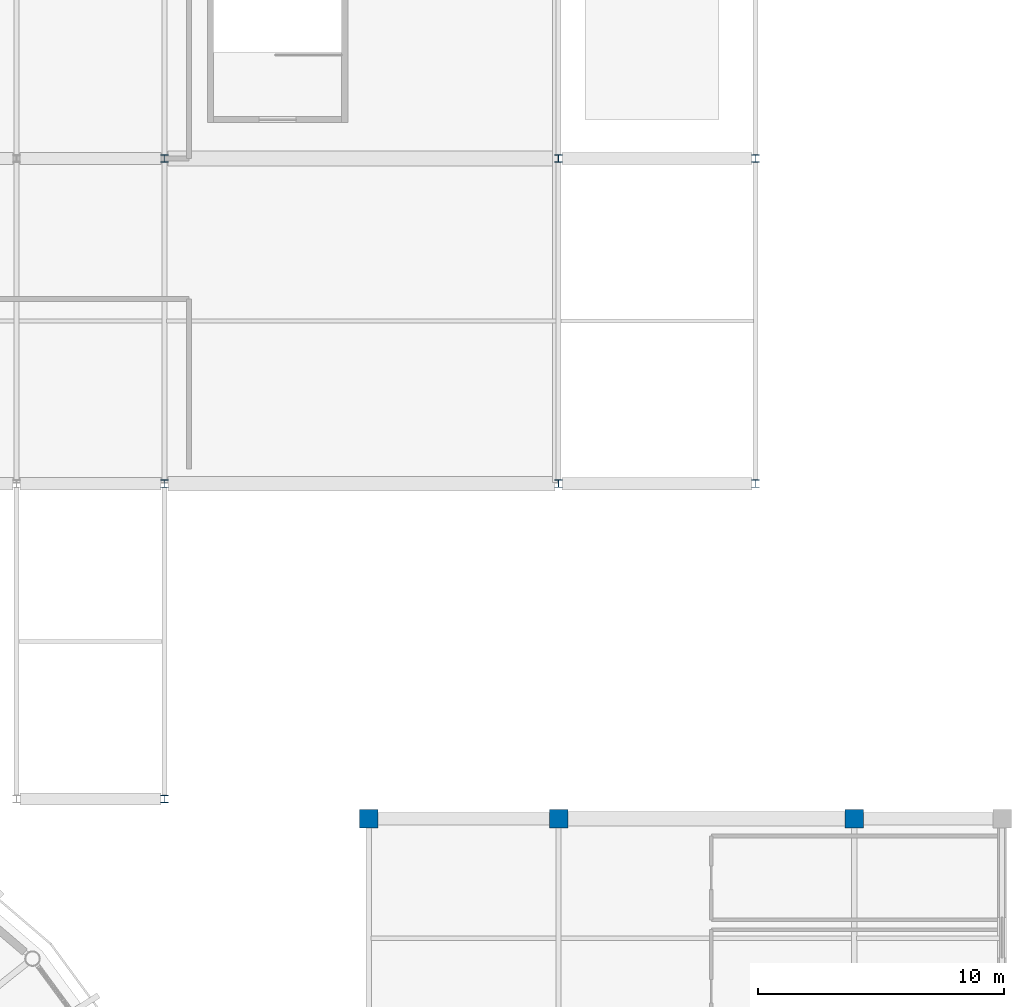
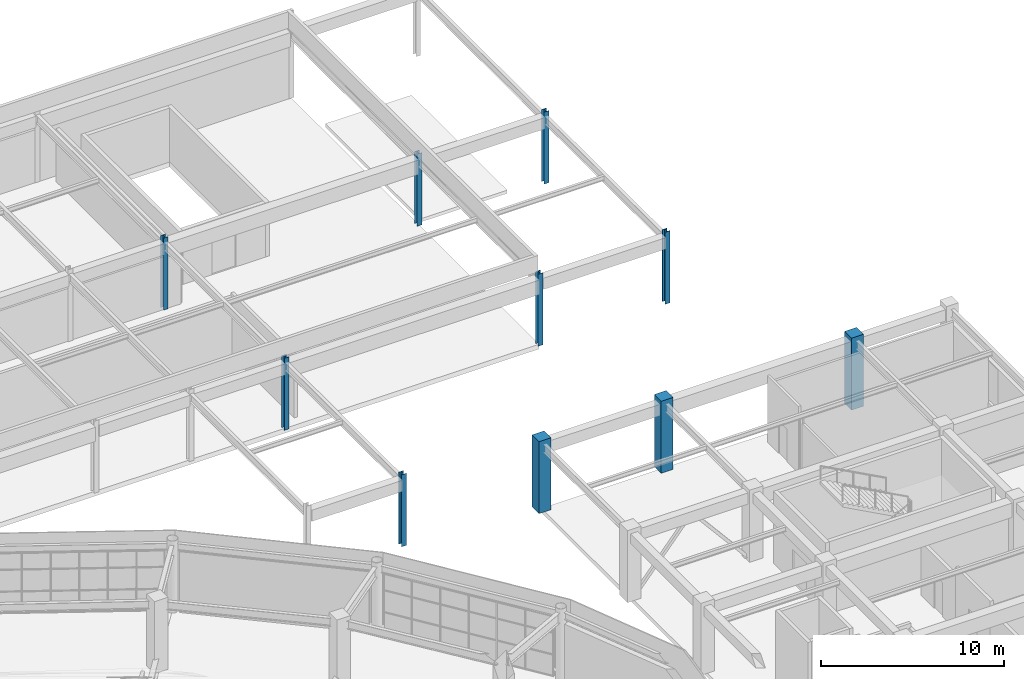
# One storey, part 15 of 122: 10 columns.
"""IFC4 building model written with IfcOpenShell, lengths in metres."""

import ifcopenshell
import ifcopenshell.guid

model = None  # the IFC model being written
_history = None  # IfcOwnerHistory: only IFC2X3 demands one
_inside = {}  # id of a spatial element -> (the spatial element, [elements in it])
_under = {}  # id of a project, library or spatial element -> (it, [spatial elements below it])
_declared = {}  # id of a project -> (the project, [libraries it declares])
_typed = {}  # id of a type object -> (the type object, [elements of that type])
_made_of = {}  # id of a material, layer set ... -> (it, [elements and type objects made of it])


def new_model(schema):
    """Start an empty IFC model of exactly this schema.

    Asked for "IFC4X3", IfcOpenShell would pick the latest addendum, in which some entities
    have other attributes; the version numbers below select the first issue.
    IFC2X3 requires an IfcOwnerHistory on every rooted entity: one is made here for all.
    """
    global model, _history
    if schema == "IFC4X3":
        model = ifcopenshell.file(schema_version=(4, 3, 0, 0))
    else:
        model = ifcopenshell.file(schema=schema)
    _inside.clear()
    _under.clear()
    _declared.clear()
    _typed.clear()
    _made_of.clear()
    _history = None
    if model.schema == "IFC2X3":
        org = make("IfcOrganization", Name="unknown")
        user = make(
            "IfcPersonAndOrganization",
            ThePerson=make("IfcPerson", FamilyName="unknown"),
            TheOrganization=org,
        )
        app = make(
            "IfcApplication",
            ApplicationDeveloper=org,
            Version="unknown",
            ApplicationFullName="unknown",
            ApplicationIdentifier="unknown",
        )
        _history = make(
            "IfcOwnerHistory",
            OwningUser=user,
            OwningApplication=app,
            ChangeAction="ADDED",
            CreationDate=0,
        )
    return model


def make(cls, **values):
    """One entity of the class cls with the attributes given. An attribute that is None is left unset."""
    return model.create_entity(
        cls, **{name: value for name, value in values.items() if value is not None}
    )


def rooted(cls, **values):
    """An entity with a GlobalId (a new one), such as an element, a storey or a relation."""
    return make(cls, GlobalId=ifcopenshell.guid.new(), OwnerHistory=_history, **values)


def si_unit(unit_type, name, prefix=None):
    """IfcSIUnit, for example si_unit("LENGTHUNIT", "METRE", prefix="MILLI")."""
    return make("IfcSIUnit", UnitType=unit_type, Prefix=prefix, Name=name)


def assignment(units):
    """IfcUnitAssignment: the units of a project."""
    return None if units is None else make("IfcUnitAssignment", Units=units)


def point(xyz):
    """IfcCartesianPoint."""
    return None if xyz is None else make("IfcCartesianPoint", Coordinates=xyz)


def direction(xyz):
    """IfcDirection."""
    return None if xyz is None else make("IfcDirection", DirectionRatios=xyz)


def frame(location, z_axis=None, x_axis=None):
    """IfcAxis2Placement3D, a coordinate frame: its origin and axes. An axis left out is left unset."""
    return make(
        "IfcAxis2Placement3D",
        Location=point(location),
        Axis=direction(z_axis),
        RefDirection=direction(x_axis),
    )


def frame_2d(location, x_axis=None):
    """IfcAxis2Placement2D, a coordinate frame in the plane: its origin and x axis."""
    return make(
        "IfcAxis2Placement2D", Location=point(location), RefDirection=direction(x_axis)
    )


def origin():
    """The frame at (0, 0, 0) with its axes left unset."""
    return frame((0.0, 0.0, 0.0))


def origin_2d():
    """The frame at (0, 0) in the plane with its x axis left unset."""
    return frame_2d((0.0, 0.0))


def place(relative_to, where):
    """IfcLocalPlacement: puts the frame where relative to a parent placement (None: the world)."""
    return make(
        "IfcLocalPlacement", PlacementRelTo=relative_to, RelativePlacement=where
    )


def context(
    kind, dimensions, precision=None, world=None, true_north=None, identifier=None
):
    """IfcGeometricRepresentationContext, for example the 3D "Model" context."""
    return make(
        "IfcGeometricRepresentationContext",
        ContextIdentifier=identifier,
        ContextType=kind,
        CoordinateSpaceDimension=dimensions,
        Precision=precision,
        WorldCoordinateSystem=world,
        TrueNorth=true_north,
    )


def subcontext(parent, identifier, kind, view, scale=None):
    """IfcGeometricRepresentationSubContext, for example "Body" below "Model"."""
    return make(
        "IfcGeometricRepresentationSubContext",
        ContextIdentifier=identifier,
        ContextType=kind,
        ParentContext=parent,
        TargetScale=scale,
        TargetView=view,
    )


def project(units=None, contexts=None):
    """IfcProject with its units and contexts."""
    return rooted(
        "IfcProject",
        Name="project",
        RepresentationContexts=contexts,
        UnitsInContext=assignment(units),
    )


def spatial(cls, under=None, at=None, **own):
    """A site, building, storey or space (cls), placed at a placement, below another one or the project."""
    s = rooted(cls, ObjectPlacement=at, **own)
    if under is not None:
        _under.setdefault(under.id(), (under, []))[1].append(s)
    return s


def profile(cls, at=None, kind="AREA", **sizes):
    """A parametric profile (cls). Its sizes go by their IFC names, for example OverallWidth=200.0."""
    return make(cls, ProfileType=kind, Position=at, **sizes)


def rectangle(**sizes):
    """IfcRectangleProfileDef."""
    return profile("IfcRectangleProfileDef", **sizes)


def i_section(**sizes):
    """IfcIShapeProfileDef."""
    return profile("IfcIShapeProfileDef", **sizes)


def extrude(swept, where, along, depth):
    """IfcExtrudedAreaSolid: the profile swept, set in the frame where, extruded along a direction by depth."""
    return make(
        "IfcExtrudedAreaSolid",
        SweptArea=swept,
        Position=where,
        ExtrudedDirection=direction(along),
        Depth=depth,
    )


def shape(context_of_items, identifier, shape_type, items):
    """IfcShapeRepresentation: the items that make up one representation, for example the "Body"."""
    return make(
        "IfcShapeRepresentation",
        ContextOfItems=context_of_items,
        RepresentationIdentifier=identifier,
        RepresentationType=shape_type,
        Items=items,
    )


def material(Name=None, Category=None):
    """IfcMaterial."""
    return make("IfcMaterial", Name=Name, Category=Category)


def material_profile(
    of_material, cross_section, Name=None, Category=None, Priority=None
):
    """IfcMaterialProfile: a cross section and its material."""
    return make(
        "IfcMaterialProfile",
        Name=Name,
        Material=of_material,
        Profile=cross_section,
        Priority=Priority,
        Category=Category,
    )


def profile_set(profiles, Name=None, composite=None):
    """IfcMaterialProfileSet."""
    return make(
        "IfcMaterialProfileSet",
        Name=Name,
        MaterialProfiles=profiles,
        CompositeProfile=composite,
    )


def made_of(thing, what):
    """Note that an element or type object is made of a material, layer set ...; save() writes the relation."""
    if what is not None:
        _made_of.setdefault(what.id(), (what, []))[1].append(thing)
    return thing


def type_object(cls, material=None, **own):
    """A type object (cls), such as IfcWallType, which elements share."""
    return made_of(rooted(cls, **own), material)


def element(
    cls,
    number,
    at=None,
    inside=None,
    cuts=None,
    type_object=None,
    material=None,
    context=None,
    identifier="Body",
    shape_type=None,
    held_by="IfcProductDefinitionShape",
    body=None,
    shapes=None,
    **own,
):
    """One element of the class cls, such as IfcWall. Its Tag is "e" and its number.

    at: its placement. inside: the storey or other place that contains it. cuts: it is an
    opening in that element (IfcRelVoidsElement). A single representation is given by context,
    identifier, shape_type and body (its items); several are given by shapes. held_by: the class
    of the entity that holds the representations. save() writes the other relations.
    """
    e = rooted(cls, Tag="e%d" % number, ObjectPlacement=at, **own)
    if body is not None:
        shapes = [shape(context, identifier, shape_type, body)]
    if shapes is not None:
        e.Representation = make(held_by, Representations=shapes)
    if inside is not None:
        _inside.setdefault(inside.id(), (inside, []))[1].append(e)
    if cuts is not None:
        rooted(
            "IfcRelVoidsElement", RelatingBuildingElement=cuts, RelatedOpeningElement=e
        )
    if type_object is not None:
        _typed.setdefault(type_object.id(), (type_object, []))[1].append(e)
    return made_of(e, material)


def aggregate(whole, parts):
    """IfcRelAggregates: a whole, such as a stair, and the parts it consists of."""
    return rooted("IfcRelAggregates", RelatingObject=whole, RelatedObjects=parts)


def save(model, path):
    """Write the relations noted so far, then the file.

    IfcRelAggregates (storeys below a building ...), IfcRelContainedInSpatialStructure (elements
    in a storey), IfcRelDefinesByType, IfcRelAssociatesMaterial and IfcRelDeclares: one each for
    every whole, place, type object, material and project.
    """
    for whole, parts in _under.values():
        aggregate(whole, parts)
    for where, things in _inside.values():
        rooted(
            "IfcRelContainedInSpatialStructure",
            RelatedElements=things,
            RelatingStructure=where,
        )
    for kind, things in _typed.values():
        rooted("IfcRelDefinesByType", RelatedObjects=things, RelatingType=kind)
    for what, things in _made_of.values():
        rooted("IfcRelAssociatesMaterial", RelatedObjects=things, RelatingMaterial=what)
    for by, libraries in _declared.values():
        rooted("IfcRelDeclares", RelatingContext=by, RelatedDefinitions=libraries)
    model.write(path)


model = new_model("IFC4")

# Units and contexts
model_context = context("Model", 3, precision=1e-05, world=origin(), true_north=direction((0.0, 1.0)))
body_context = subcontext(model_context, "Body", "Model", "MODEL_VIEW")
ifc_project = project(units=[si_unit("LENGTHUNIT", "METRE"), si_unit("AREAUNIT", "SQUARE_METRE"), si_unit("VOLUMEUNIT", "CUBIC_METRE"), si_unit("PLANEANGLEUNIT", "RADIAN"), si_unit("MASSUNIT", "GRAM", prefix="KILO")], contexts=[model_context])

# Site, building, storey
site_placement = place(None, origin())
site = spatial("IfcSite", under=ifc_project, at=site_placement, CompositionType="ELEMENT")
building_placement = place(site_placement, origin())
building = spatial("IfcBuilding", under=site, at=building_placement, Name="Cuetzalor Civic Arena", CompositionType="ELEMENT")
storey_placement = place(building_placement, frame((0.0, 0.0, 16.199951171875)))
storey = spatial("IfcBuildingStorey", under=building, at=storey_placement, Name="L03", CompositionType="ELEMENT", Elevation=16.199951171875)

# Columns
ifc_material_1 = material(Name="Concrete C40/50", Category="concrete")
ifc_material_profile_1 = material_profile(ifc_material_1, rectangle(XDim=0.75, YDim=0.75, at=origin_2d()), Name="RC 750x750")
ifc_profile_set_1 = profile_set([ifc_material_profile_1], Name="Concrete C40/50")
column_type_1 = type_object("IfcColumnType", Name="ConcreteColumn_750", PredefinedType="COLUMN", material=ifc_profile_set_1)
for number, where, z_axis, x_axis, name in (
    (1, (56.300048828125, 34.699951171875, 0.0), (0.0, 0.0, 1.0), (1.0, 0.0, 0.0), "Column V4E-C-01-11 L03"),
    (2, (64.0, 34.699951171875, 0.0), (0.0, 0.0, 1.0), (1.0, 0.0, 0.0), "Column V4E-C-02-11 L03"),
    (3, (76.0, 34.699951171875, 0.0), (0.0, 0.0, 1.0), (1.0, 0.0, 0.0), "Column V4E-C-03-11 L03"),
):
    element("IfcColumn", number, at=place(storey_placement, frame(where, z_axis=z_axis, x_axis=x_axis)), inside=storey, type_object=column_type_1, Name=name, PredefinedType="COLUMN", context=body_context, shape_type="SweptSolid", body=[
        extrude(rectangle(XDim=0.75, YDim=0.75, at=origin_2d()), origin(), (0.0, 0.0, 1.0), 4.800048828125),
    ])
ifc_material_2 = material(Name="Steel S355", Category="steel")
ifc_material_profile_2 = material_profile(ifc_material_2, i_section(OverallWidth=0.304931640625, OverallDepth=0.30810546875, WebThickness=0.010009765625, FlangeThickness=0.015380859375, at=origin_2d()), Name="W310x97")
ifc_profile_set_2 = profile_set([ifc_material_profile_2], Name="Steel S355")
column_type_2 = type_object("IfcColumnType", Name="SteelGalleryColumn_W310", PredefinedType="COLUMN", material=ifc_profile_set_2)
for number, where, z_axis, x_axis, name in (
    (4, (48.0, 35.5, 0.0), (0.0, 0.0, 1.0), (1.0, 0.0, 0.0), "Column V5-C-13-01 L03"),
    (5, (48.0, 48.300048828125, 0.0), (0.0, 0.0, 1.0), (1.0, 0.0, 0.0), "Column V5-C-13-02 L03"),
    (6, (48.0, 61.5, 0.0), (0.0, 0.0, 1.0), (1.0, 0.0, 0.0), "Column V5-C-13-04 L03"),
    (7, (64.0, 48.300048828125, 0.0), (0.0, 0.0, 1.0), (1.0, 0.0, 0.0), "Column V5-C-14-02 L03"),
    (8, (64.0, 61.5, 0.0), (0.0, 0.0, 1.0), (1.0, 0.0, 0.0), "Column V5-C-14-04 L03"),
    (9, (72.0, 48.300048828125, 0.0), (0.0, 0.0, 1.0), (1.0, 0.0, 0.0), "Column V5-C-15-02 L03"),
    (10, (72.0, 61.5, 0.0), (0.0, 0.0, 1.0), (1.0, 0.0, 0.0), "Column V5-C-15-04 L03"),
):
    element("IfcColumn", number, at=place(storey_placement, frame(where, z_axis=z_axis, x_axis=x_axis)), inside=storey, type_object=column_type_2, Name=name, PredefinedType="COLUMN", context=body_context, shape_type="SweptSolid", body=[
        extrude(i_section(OverallWidth=0.304931640625, OverallDepth=0.30810546875, WebThickness=0.010009765625, FlangeThickness=0.015380859375, at=origin_2d()), origin(), (0.0, 0.0, 1.0), 4.800048828125),
    ])

save(model, "model.ifc")
